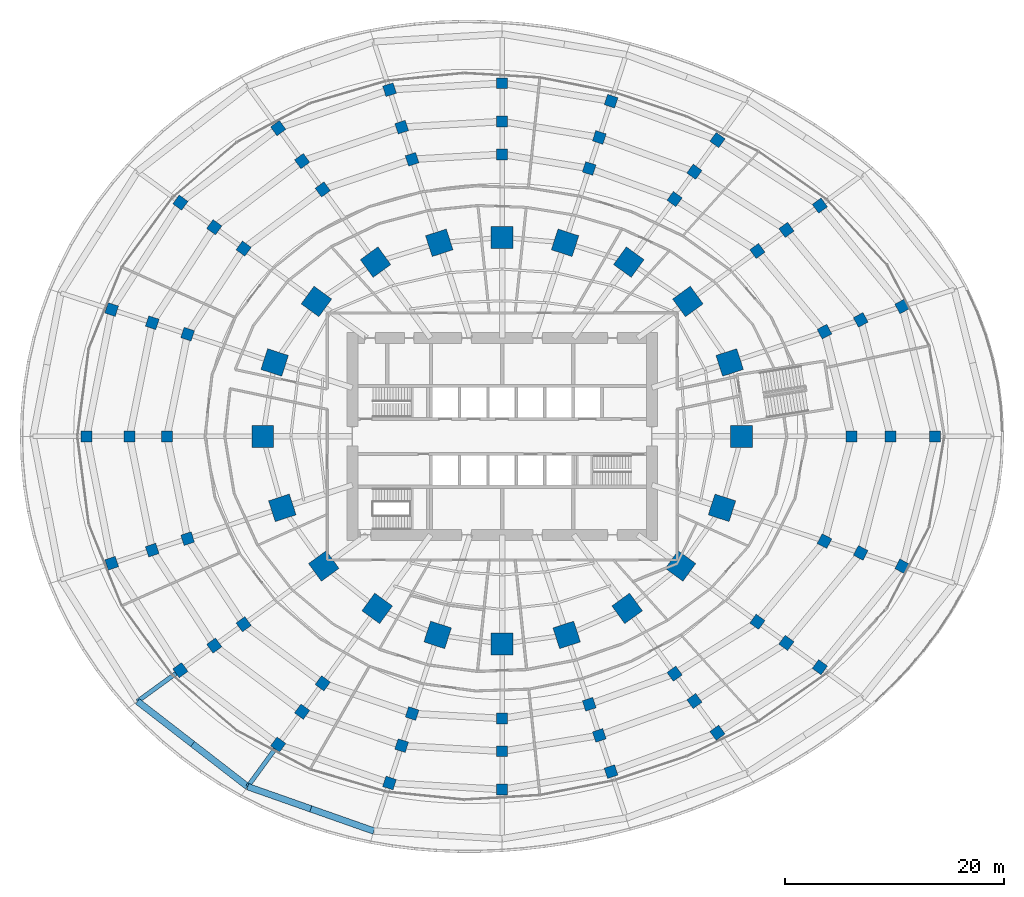
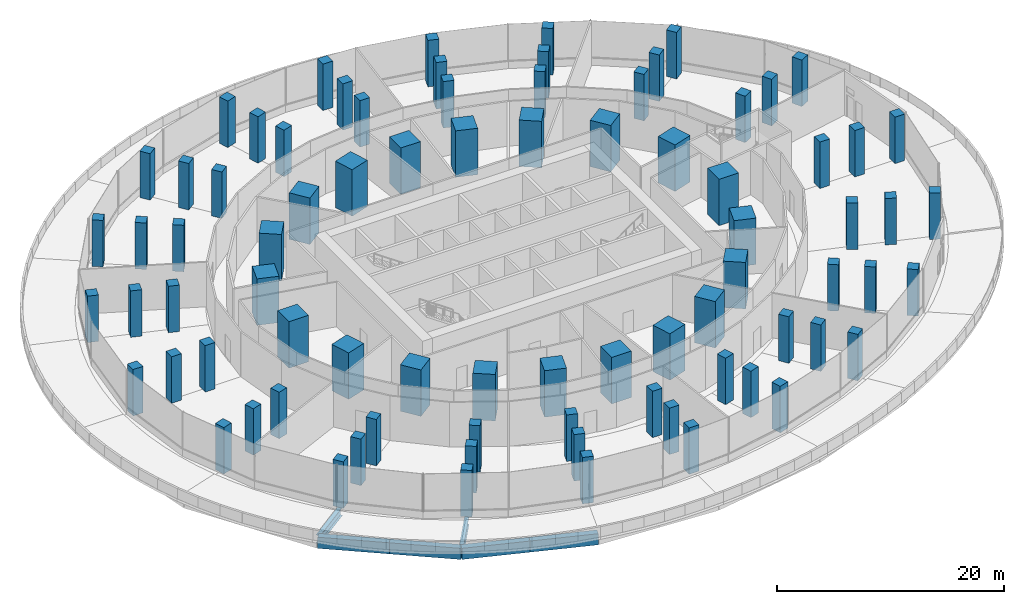
# One storey, part 1 of 31: 80 columns, 6 beams.
"""IFC4 building model written with IfcOpenShell, lengths in metres."""

from ifc_helpers import new_model, si_unit, direction, frame, origin, origin_2d, place, context, subcontext, project, spatial, rectangle, i_section, extrude, material, material_profile, profile_set, type_object, element, save


model = new_model("IFC4")

# Units and contexts
model_context = context("Model", 3, precision=1e-05, world=origin(), true_north=direction((0.0, 1.0)))
body_context = subcontext(model_context, "Body", "Model", "MODEL_VIEW")
ifc_project = project(units=[si_unit("LENGTHUNIT", "METRE"), si_unit("AREAUNIT", "SQUARE_METRE"), si_unit("VOLUMEUNIT", "CUBIC_METRE"), si_unit("PLANEANGLEUNIT", "RADIAN"), si_unit("MASSUNIT", "GRAM", prefix="KILO")], contexts=[model_context])

# Site, building, storey
site_placement = place(None, origin())
site = spatial("IfcSite", under=ifc_project, at=site_placement, CompositionType="ELEMENT")
building_placement = place(site_placement, origin())
building = spatial("IfcBuilding", under=site, at=building_placement, Name="Marramba Exchange Tower", CompositionType="ELEMENT")
storey_placement = place(building_placement, frame((0.0, 0.0, 5.60009765625)))
storey = spatial("IfcBuildingStorey", under=building, at=storey_placement, Name="L01", CompositionType="ELEMENT", Elevation=5.60009765625)

# Columns
ifc_material_1 = material(Name="Concrete N50", Category="concrete")
ifc_material_profile_1 = material_profile(ifc_material_1, rectangle(XDim=2.0, YDim=2.0, at=origin_2d()), Name="RC 2000x2000")
ifc_profile_set_1 = profile_set([ifc_material_profile_1], Name="Concrete N50")
column_type_1 = type_object("IfcColumnType", Name="Perimeter column RC 2000x2000 N50", PredefinedType="COLUMN", material=ifc_profile_set_1)
for number, where, z_axis, x_axis, name in (
    (1, (21.89990234375, 0.0, 0.0), (0.0, 0.0, 1.0), (1.0, 0.0, 0.0), "Column TC01 L01"),
    (2, (20.808349609375, 6.760986328125, 0.0), (0.0, 0.0, 1.0), (0.951056516295, 0.309016994375, 0.0), "Column TC02 L01"),
    (3, (16.98583984375, 12.3408203125, 0.0), (0.0, 0.0, 1.0), (0.809016994375, 0.587785252292, 0.0), "Column TC03 L01"),
    (4, (11.581298828125, 15.9404296875, 0.0), (0.0, 0.0, 1.0), (0.587785252292, 0.809016994375, 0.0), "Column TC04 L01"),
    (5, (5.75390625, 17.70849609375, 0.0), (0.0, 0.0, 1.0), (0.309016994375, 0.951056516295, 0.0), "Column TC05 L01"),
    (6, (0.0, 18.2041015625, 0.0), (0.0, 0.0, 1.0), (0.0, 1.0, 0.0), "Column TC06 L01"),
    (7, (-5.75390625, 17.70849609375, 0.0), (0.0, 0.0, 1.0), (-0.309016994375, 0.951056516295, 0.0), "Column TC07 L01"),
    (8, (-11.581298828125, 15.9404296875, 0.0), (0.0, 0.0, 1.0), (-0.587785252292, 0.809016994375, 0.0), "Column TC08 L01"),
    (9, (-16.98583984375, 12.3408203125, 0.0), (0.0, 0.0, 1.0), (-0.809016994375, 0.587785252292, 0.0), "Column TC09 L01"),
    (10, (-20.808349609375, 6.760986328125, 0.0), (0.0, 0.0, 1.0), (-0.951056516295, 0.309016994375, 0.0), "Column TC10 L01"),
    (11, (-21.89990234375, 0.0, 0.0), (0.0, 0.0, 1.0), (-1.0, 0.0, 0.0), "Column TC11 L01"),
    (12, (-20.109375, -6.533935546875, 0.0), (0.0, 0.0, 1.0), (-0.951056516295, -0.309016994375, 0.0), "Column TC12 L01"),
    (13, (-16.3154296875, -11.853759765625, 0.0), (0.0, 0.0, 1.0), (-0.809016994375, -0.587785252292, 0.0), "Column TC13 L01"),
    (14, (-11.430419921875, -15.732666015625, 0.0), (0.0, 0.0, 1.0), (-0.587785252292, -0.809016994375, 0.0), "Column TC14 L01"),
    (15, (-5.899658203125, -18.156982421875, 0.0), (0.0, 0.0, 1.0), (-0.309016994375, -0.951056516295, 0.0), "Column TC15 L01"),
    (16, (0.0, -18.99609375, 0.0), (0.0, 0.0, 1.0), (0.0, -1.0, 0.0), "Column TC16 L01"),
    (17, (5.899658203125, -18.156982421875, 0.0), (0.0, 0.0, 1.0), (0.309016994375, -0.951056516295, 0.0), "Column TC17 L01"),
    (18, (11.430419921875, -15.732666015625, 0.0), (0.0, 0.0, 1.0), (0.587785252292, -0.809016994375, 0.0), "Column TC18 L01"),
    (19, (16.3154296875, -11.853759765625, 0.0), (0.0, 0.0, 1.0), (0.809016994375, -0.587785252292, 0.0), "Column TC19 L01"),
    (20, (20.109375, -6.533935546875, 0.0), (0.0, 0.0, 1.0), (0.951056516295, -0.309016994375, 0.0), "Column TC20 L01"),
):
    element("IfcColumn", number, at=place(storey_placement, frame(where, z_axis=z_axis, x_axis=x_axis)), inside=storey, type_object=column_type_1, Name=name, PredefinedType="COLUMN", context=body_context, shape_type="SweptSolid", body=[
        extrude(rectangle(XDim=2.0, YDim=2.0, at=origin_2d()), origin(), (0.0, 0.0, 1.0), 5.0),
    ])
ifc_material_profile_2 = material_profile(ifc_material_1, rectangle(XDim=1.0, YDim=1.0, at=origin_2d()), Name="RC 1000x1000")
ifc_profile_set_2 = profile_set([ifc_material_profile_2], Name="Concrete N50")
column_type_2 = type_object("IfcColumnType", Name="Podium column RC 1000x1000 N50", PredefinedType="COLUMN", material=ifc_profile_set_2)
for number, where, z_axis, x_axis, name in (
    (21, (39.60009765625, 0.0, 0.0), (0.0, 0.0, 1.0), (1.0, 0.0, 0.0), "Column P1C01 L01"),
    (22, (36.5888671875, 11.888427734375, 0.0), (0.0, 0.0, 1.0), (0.88715868706, 0.461464477479, 0.0), "Column P1C02 L01"),
    (23, (29.057373046875, 21.111328125, 0.0), (0.0, 0.0, 1.0), (0.809016994375, 0.587785252292, 0.0), "Column P1C03 L01"),
    (24, (19.691650390625, 27.103271484375, 0.0), (0.0, 0.0, 1.0), (0.587785252292, 0.809016994375, 0.0), "Column P1C04 L01"),
    (25, (9.962158203125, 30.66015625, 0.0), (0.0, 0.0, 1.0), (0.309016994375, 0.951056516295, 0.0), "Column P1C05 L01"),
    (26, (0.0, 32.300048828125, 0.0), (0.0, 0.0, 1.0), (0.0, 1.0, 0.0), "Column P1C06 L01"),
    (27, (-10.302001953125, 31.706298828125, 0.0), (0.0, 0.0, 1.0), (-0.309016994375, 0.951056516295, 0.0), "Column P1C07 L01"),
    (28, (-20.482666015625, 28.19189453125, 0.0), (0.0, 0.0, 1.0), (-0.587785252292, 0.809016994375, 0.0), "Column P1C08 L01"),
    (29, (-29.430908203125, 21.3828125, 0.0), (0.0, 0.0, 1.0), (-0.809016994375, 0.587785252292, 0.0), "Column P1C09 L01"),
    (30, (-35.712158203125, 11.603515625, 0.0), (0.0, 0.0, 1.0), (-0.951056516295, 0.309016994375, 0.0), "Column P1C10 L01"),
    (31, (-38.0, 0.0, 0.0), (0.0, 0.0, 1.0), (-1.0, 0.0, 0.0), "Column P1C11 L01"),
    (32, (-35.712158203125, -11.603515625, 0.0), (0.0, 0.0, 1.0), (-0.951056516295, -0.309016994375, 0.0), "Column P1C12 L01"),
    (33, (-29.430908203125, -21.3828125, 0.0), (0.0, 0.0, 1.0), (-0.809016994375, -0.587785252292, 0.0), "Column P1C13 L01"),
    (34, (-20.482666015625, -28.19189453125, 0.0), (0.0, 0.0, 1.0), (-0.587785252292, -0.809016994375, 0.0), "Column P1C14 L01"),
    (35, (-10.302001953125, -31.706298828125, 0.0), (0.0, 0.0, 1.0), (-0.309016994375, -0.951056516295, 0.0), "Column P1C15 L01"),
    (36, (0.0, -32.300048828125, 0.0), (0.0, 0.0, 1.0), (0.0, -1.0, 0.0), "Column P1C16 L01"),
    (37, (9.962158203125, -30.66015625, 0.0), (0.0, 0.0, 1.0), (0.309016994375, -0.951056516295, 0.0), "Column P1C17 L01"),
    (38, (19.691650390625, -27.103271484375, 0.0), (0.0, 0.0, 1.0), (0.587785252292, -0.809016994375, 0.0), "Column P1C18 L01"),
    (39, (29.057373046875, -21.111328125, 0.0), (0.0, 0.0, 1.0), (0.809016994375, -0.587785252292, 0.0), "Column P1C19 L01"),
    (40, (36.5888671875, -11.888427734375, 0.0), (0.0, 0.0, 1.0), (0.88715868706, -0.461464477479, 0.0), "Column P1C20 L01"),
    (41, (35.52001953125, 0.0, 0.0), (0.0, 0.0, 1.0), (1.0, 0.0, 0.0), "Column P2C01 L01"),
    (42, (32.793701171875, 10.6552734375, 0.0), (0.0, 0.0, 1.0), (0.885353211435, 0.46491901553, 0.0), "Column P2C02 L01"),
    (43, (25.99658203125, 18.8876953125, 0.0), (0.0, 0.0, 1.0), (0.809016994375, 0.587785252292, 0.0), "Column P2C03 L01"),
    (44, (17.585205078125, 24.203857421875, 0.0), (0.0, 0.0, 1.0), (0.587785252292, 0.809016994375, 0.0), "Column P2C04 L01"),
    (45, (8.8857421875, 27.347412109375, 0.0), (0.0, 0.0, 1.0), (0.309016994375, 0.951056516295, 0.0), "Column P2C05 L01"),
    (46, (0.0, 28.800048828125, 0.0), (0.0, 0.0, 1.0), (0.0, 1.0, 0.0), "Column P2C06 L01"),
    (47, (-9.190185546875, 28.28466796875, 0.0), (0.0, 0.0, 1.0), (-0.309016994375, 0.951056516295, 0.0), "Column P2C07 L01"),
    (48, (-18.29443359375, 25.18017578125, 0.0), (0.0, 0.0, 1.0), (-0.587785252292, 0.809016994375, 0.0), "Column P2C08 L01"),
    (49, (-26.33203125, 19.13134765625, 0.0), (0.0, 0.0, 1.0), (-0.809016994375, 0.587785252292, 0.0), "Column P2C09 L01"),
    (50, (-32.005126953125, 10.399169921875, 0.0), (0.0, 0.0, 1.0), (-0.951056516295, 0.309016994375, 0.0), "Column P2C10 L01"),
    (51, (-34.080078125, 0.0, 0.0), (0.0, 0.0, 1.0), (-1.0, 0.0, 0.0), "Column P2C11 L01"),
    (52, (-32.005126953125, -10.399169921875, 0.0), (0.0, 0.0, 1.0), (-0.951056516295, -0.309016994375, 0.0), "Column P2C12 L01"),
    (53, (-26.33203125, -19.13134765625, 0.0), (0.0, 0.0, 1.0), (-0.809016994375, -0.587785252292, 0.0), "Column P2C13 L01"),
    (54, (-18.29443359375, -25.18017578125, 0.0), (0.0, 0.0, 1.0), (-0.587785252292, -0.809016994375, 0.0), "Column P2C14 L01"),
    (55, (-9.190185546875, -28.28466796875, 0.0), (0.0, 0.0, 1.0), (-0.309016994375, -0.951056516295, 0.0), "Column P2C15 L01"),
    (56, (0.0, -28.800048828125, 0.0), (0.0, 0.0, 1.0), (0.0, -1.0, 0.0), "Column P2C16 L01"),
    (57, (8.8857421875, -27.347412109375, 0.0), (0.0, 0.0, 1.0), (0.309016994375, -0.951056516295, 0.0), "Column P2C17 L01"),
    (58, (17.585205078125, -24.203857421875, 0.0), (0.0, 0.0, 1.0), (0.587785252292, -0.809016994375, 0.0), "Column P2C18 L01"),
    (59, (25.99658203125, -18.8876953125, 0.0), (0.0, 0.0, 1.0), (0.809016994375, -0.587785252292, 0.0), "Column P2C19 L01"),
    (60, (32.793701171875, -10.6552734375, 0.0), (0.0, 0.0, 1.0), (0.885353211435, -0.46491901553, 0.0), "Column P2C20 L01"),
    (61, (31.949951171875, 0.0, 0.0), (0.0, 0.0, 1.0), (1.0, 0.0, 0.0), "Column P3C01 L01"),
    (62, (29.48193359375, 9.579345703125, 0.0), (0.0, 0.0, 1.0), (0.884188111274, 0.467131013616, 0.0), "Column P3C02 L01"),
    (63, (23.34228515625, 16.959228515625, 0.0), (0.0, 0.0, 1.0), (0.809016994375, 0.587785252292, 0.0), "Column P3C03 L01"),
    (64, (15.769775390625, 21.705078125, 0.0), (0.0, 0.0, 1.0), (0.587785252292, 0.809016994375, 0.0), "Column P3C04 L01"),
    (65, (7.9619140625, 24.50390625, 0.0), (0.0, 0.0, 1.0), (0.309016994375, 0.951056516295, 0.0), "Column P3C05 L01"),
    (66, (0.0, 25.800048828125, 0.0), (0.0, 0.0, 1.0), (0.0, 1.0, 0.0), "Column P3C06 L01"),
    (67, (-8.23583984375, 25.347412109375, 0.0), (0.0, 0.0, 1.0), (-0.309016994375, 0.951056516295, 0.0), "Column P3C07 L01"),
    (68, (-16.40869140625, 22.58447265625, 0.0), (0.0, 0.0, 1.0), (-0.587785252292, 0.809016994375, 0.0), "Column P3C08 L01"),
    (69, (-23.644775390625, 17.178955078125, 0.0), (0.0, 0.0, 1.0), (-0.809016994375, 0.587785252292, 0.0), "Column P3C09 L01"),
    (70, (-28.770263671875, 9.34814453125, 0.0), (0.0, 0.0, 1.0), (-0.951056516295, 0.309016994375, 0.0), "Column P3C10 L01"),
    (71, (-30.64990234375, 0.0, 0.0), (0.0, 0.0, 1.0), (-1.0, 0.0, 0.0), "Column P3C11 L01"),
    (72, (-28.770263671875, -9.34814453125, 0.0), (0.0, 0.0, 1.0), (-0.951056516295, -0.309016994375, 0.0), "Column P3C12 L01"),
    (73, (-23.644775390625, -17.178955078125, 0.0), (0.0, 0.0, 1.0), (-0.809016994375, -0.587785252292, 0.0), "Column P3C13 L01"),
    (74, (-16.40869140625, -22.58447265625, 0.0), (0.0, 0.0, 1.0), (-0.587785252292, -0.809016994375, 0.0), "Column P3C14 L01"),
    (75, (-8.23583984375, -25.347412109375, 0.0), (0.0, 0.0, 1.0), (-0.309016994375, -0.951056516295, 0.0), "Column P3C15 L01"),
    (76, (0.0, -25.800048828125, 0.0), (0.0, 0.0, 1.0), (0.0, -1.0, 0.0), "Column P3C16 L01"),
    (77, (7.9619140625, -24.50390625, 0.0), (0.0, 0.0, 1.0), (0.309016994375, -0.951056516295, 0.0), "Column P3C17 L01"),
    (78, (15.769775390625, -21.705078125, 0.0), (0.0, 0.0, 1.0), (0.587785252292, -0.809016994375, 0.0), "Column P3C18 L01"),
    (79, (23.34228515625, -16.959228515625, 0.0), (0.0, 0.0, 1.0), (0.809016994375, -0.587785252292, 0.0), "Column P3C19 L01"),
    (80, (29.48193359375, -9.579345703125, 0.0), (0.0, 0.0, 1.0), (0.884188111274, -0.467131013616, 0.0), "Column P3C20 L01"),
):
    element("IfcColumn", number, at=place(storey_placement, frame(where, z_axis=z_axis, x_axis=x_axis)), inside=storey, type_object=column_type_2, Name=name, PredefinedType="COLUMN", context=body_context, shape_type="SweptSolid", body=[
        extrude(rectangle(XDim=1.0, YDim=1.0, at=origin_2d()), origin(), (0.0, 0.0, 1.0), 5.0),
    ])

# Beams
ifc_material_profile_3 = material_profile(ifc_material_1, rectangle(XDim=0.60009765625, YDim=1.199951171875, at=origin_2d()), Name="RC 600x1200")
ifc_profile_set_3 = profile_set([ifc_material_profile_3], Name="Concrete N50")
beam_type_1 = type_object("IfcBeamType", Name="Edge beam RC 600x1200 N50", PredefinedType="SPANDREL", material=ifc_profile_set_3)
beam_1_placement = place(storey_placement, frame((-33.35205078125, -24.231689453125, -0.85009765625), z_axis=(0.790664479988, -0.612249687697, 0.0), x_axis=(0.612249687697, 0.790664479988, 0.0)))
element("IfcBeam", 81, at=beam_1_placement, inside=storey, type_object=beam_type_1, Name="Edge beam L01 P0C13 half 1", PredefinedType="SPANDREL", context=body_context, shape_type="SweptSolid", body=[
    extrude(rectangle(XDim=0.60009765625, YDim=1.199951171875, at=origin_2d()), origin(), (0.0, 0.0, 1.0), 6.37255859375),
])
beam_2_placement = place(storey_placement, frame((-28.3134765625, -28.13330078125, -0.85009765625), z_axis=(0.790645934267, -0.612273637051, 0.0), x_axis=(0.612273637051, 0.790645934267, 0.0)))
element("IfcBeam", 82, at=beam_2_placement, inside=storey, type_object=beam_type_1, Name="Edge beam L01 P0C13 half 2", PredefinedType="SPANDREL", context=body_context, shape_type="SweptSolid", body=[
    extrude(rectangle(XDim=0.60009765625, YDim=1.199951171875, at=origin_2d()), origin(), (0.0, 0.0, 1.0), 6.372802734375),
])
beam_3_placement = place(storey_placement, frame((-23.27490234375, -32.03515625, -0.85009765625), z_axis=(0.943327886486, -0.331862168042, 0.0), x_axis=(0.331862168042, 0.943327886486, 0.0)))
element("IfcBeam", 83, at=beam_3_placement, inside=storey, type_object=beam_type_1, Name="Edge beam L01 P0C14 half 1", PredefinedType="SPANDREL", context=body_context, shape_type="SweptSolid", body=[
    extrude(rectangle(XDim=0.60009765625, YDim=1.199951171875, at=origin_2d()), origin(), (0.0, 0.0, 1.0), 6.1201171875),
])
beam_4_placement = place(storey_placement, frame((-17.501708984375, -34.066162109375, -0.85009765625), z_axis=(0.943311003033, -0.33191015585, 0.0), x_axis=(0.33191015585, 0.943311003033, 0.0)))
element("IfcBeam", 84, at=beam_4_placement, inside=storey, type_object=beam_type_1, Name="Edge beam L01 P0C14 half 2", PredefinedType="SPANDREL", context=body_context, shape_type="SweptSolid", body=[
    extrude(rectangle(XDim=0.60009765625, YDim=1.199951171875, at=origin_2d()), origin(), (0.0, 0.0, 1.0), 6.119873046875),
])
ifc_material_2 = material(Name="Steel AS/NZS 3679.2 grade 300", Category="steel")
ifc_material_profile_4 = material_profile(ifc_material_2, i_section(OverallWidth=0.39990234375, OverallDepth=0.89990234375, WebThickness=0.01611328125, FlangeThickness=0.031982421875, at=origin_2d()), Name="900WB282")
ifc_profile_set_4 = profile_set([ifc_material_profile_4], Name="Steel AS/NZS 3679.2 grade 300")
beam_type_2 = type_object("IfcBeamType", Name="Radial girder 900WB282", PredefinedType="BEAM", material=ifc_profile_set_4)
beam_5_placement = place(storey_placement, frame((-33.35205078125, -24.231689453125, -0.7001953125), z_axis=(0.809016983411, 0.587785267382, 0.0), x_axis=(-0.587785267382, 0.809016983411, 0.0)))
element("IfcBeam", 85, at=beam_5_placement, inside=storey, type_object=beam_type_2, Name="Radial girder L01 P0C13", PredefinedType="BEAM", context=body_context, shape_type="SweptSolid", body=[
    extrude(i_section(OverallWidth=0.39990234375, OverallDepth=0.89990234375, WebThickness=0.01611328125, FlangeThickness=0.031982421875, at=origin_2d()), origin(), (0.0, 0.0, 1.0), 4.8466796875),
])
beam_6_placement = place(storey_placement, frame((-23.27490234375, -32.03515625, -0.7001953125), z_axis=(0.587777432496, 0.809022675732, 0.0), x_axis=(-0.809022675732, 0.587777432496, 0.0)))
element("IfcBeam", 86, at=beam_6_placement, inside=storey, type_object=beam_type_2, Name="Radial girder L01 P0C14", PredefinedType="BEAM", context=body_context, shape_type="SweptSolid", body=[
    extrude(i_section(OverallWidth=0.39990234375, OverallDepth=0.89990234375, WebThickness=0.01611328125, FlangeThickness=0.031982421875, at=origin_2d()), origin(), (0.0, 0.0, 1.0), 4.75048828125),
])

save(model, "model.ifc")
